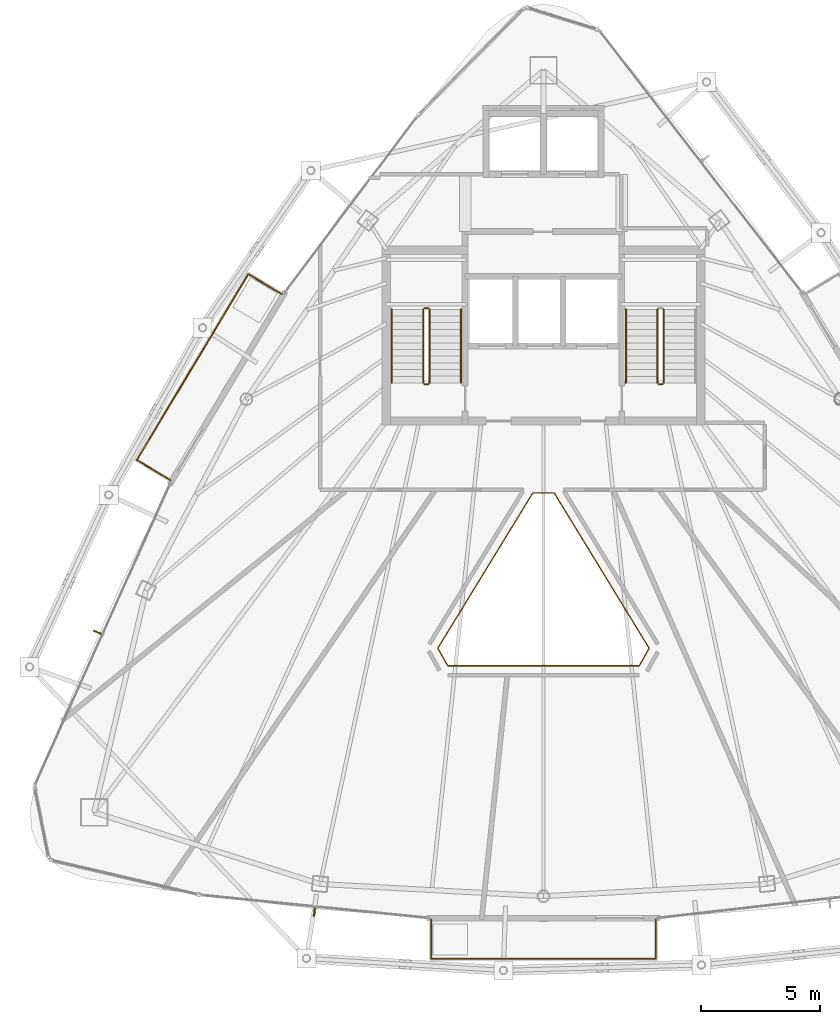
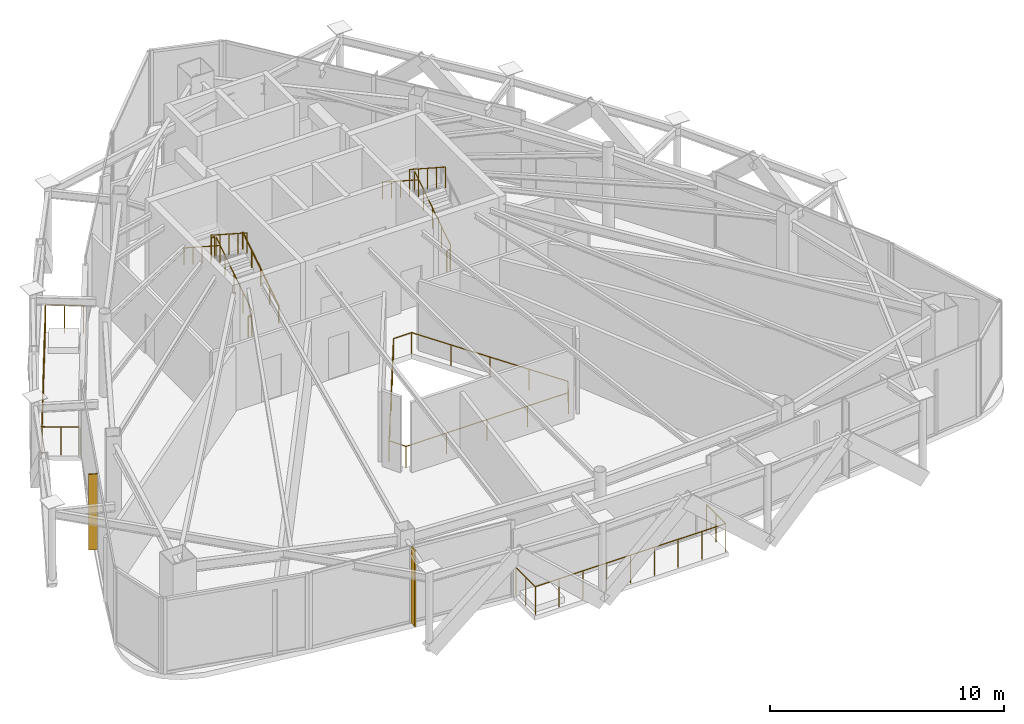
# One storey, part 21 of 22: 13 railings, 2 shading devices.
"""IFC4 building model written with IfcOpenShell, lengths in metres."""

from ifc_helpers import new_model, si_unit, direction, frame, origin, origin_2d, place, context, subcontext, project, spatial, rectangle, circle, extrude, material, layer, layer_set, type_object, element, save


model = new_model("IFC4")

# Units and contexts
model_context = context("Model", 3, precision=1e-05, world=origin(), true_north=direction((0.0, 1.0)))
body_context = subcontext(model_context, "Body", "Model", "MODEL_VIEW")
ifc_project = project(units=[si_unit("LENGTHUNIT", "METRE"), si_unit("AREAUNIT", "SQUARE_METRE"), si_unit("VOLUMEUNIT", "CUBIC_METRE"), si_unit("PLANEANGLEUNIT", "RADIAN"), si_unit("MASSUNIT", "GRAM", prefix="KILO")], contexts=[model_context])

# Site, building, storey
site_placement = place(None, origin())
site = spatial("IfcSite", under=ifc_project, at=site_placement, CompositionType="ELEMENT")
building_placement = place(site_placement, origin())
building = spatial("IfcBuilding", under=site, at=building_placement, Name="Orvanel Arch Residences", CompositionType="ELEMENT")
storey_placement = place(building_placement, frame((0.0, 0.0, 276.64990234375)))
storey = spatial("IfcBuildingStorey", under=building, at=storey_placement, Name="L79", CompositionType="ELEMENT", Elevation=276.64990234375)

# Shading devices
ifc_material_1 = material(Name="Bronze-anodised aluminium AA6063-T6", Category="aluminium")
ifc_layer = layer(ifc_material_1, 0.06005859375)
ifc_layer_set = layer_set([ifc_layer], Name="Bronze-anodised aluminium AA6063-T6")
shading_device_type = type_object("IfcShadingDeviceType", Name="FIN-BRZ-380", PredefinedType="USERDEFINED", material=ifc_layer_set)
for number, where, z_axis, x_axis, name in (
    (1, (14.345947265625, 17.883056640625, 0.0), (0.0, 0.0, 1.0), (-0.912120116172, 0.409923033842, 0.0), "L79 Anodised Bronze Mullion FIN 01"),
    (2, (23.4169921875, 6.18994140625, 0.0), (0.0, 0.0, 1.0), (-0.101056297183, -0.994880708829, 0.0), "L79 Anodised Bronze Mullion FIN 01"),
):
    element("IfcShadingDevice", number, at=place(storey_placement, frame(where, z_axis=z_axis, x_axis=x_axis)), inside=storey, type_object=shading_device_type, Name=name, ObjectType="FIN", PredefinedType="USERDEFINED", context=body_context, shape_type="SweptSolid", body=[
        extrude(rectangle(XDim=0.3798828125, YDim=0.06005859375, at=origin_2d()), origin(), (0.0, 0.0, 1.0), 3.949951171875),
    ])

# Railings
railing_type_1 = type_object("IfcRailingType", Name="RL-ATR-1120", PredefinedType="BALUSTRADE", material=ifc_material_1)
railing_1_placement = place(storey_placement, frame((33.447021484375, 23.7119140625, 0.0)))
element("IfcRailing", 3, at=railing_1_placement, inside=storey, type_object=railing_type_1, Name="L79 Atrium Void Protective Balustrade", PredefinedType="BALUSTRADE", context=body_context, shape_type="SweptSolid", body=[
    extrude(circle(Radius=0.02392578125, at=origin_2d()), frame((-0.00146484375, 0.0, 1.09619140625), z_axis=(-1.0, 0.0, 0.0), x_axis=(0.0, -1.0, 0.0)), (0.0, 0.0, 1.0), 0.89111328125),
    extrude(circle(Radius=0.02392578125, at=origin_2d()), frame((-0.894775390625, -0.001220703125, 1.09619140625), z_axis=(-0.521612229543, -0.853182677972, 0.0), x_axis=(0.853182677972, -0.521612229543, 0.0)), (0.0, 0.0, 1.0), 7.606201171875),
    extrude(circle(Radius=0.02392578125, at=origin_2d()), frame((-4.8623046875, -6.4931640625, 1.09619140625), z_axis=(0.488629954368, -0.872491127573, 0.0), x_axis=(0.872491127573, 0.488629954368, 0.0)), (0.0, 0.0, 1.0), 0.8359375),
    extrude(circle(Radius=0.02392578125, at=origin_2d()), frame((-4.45166015625, -7.223876953125, 1.09619140625), z_axis=(1.0, 0.0, 0.0), x_axis=(0.0, 1.0, 0.0)), (0.0, 0.0, 1.0), 8.00927734375),
    extrude(circle(Radius=0.02392578125, at=origin_2d()), frame((3.559814453125, -7.22265625, 1.09619140625), z_axis=(0.488629954368, 0.872491127573, 0.0), x_axis=(-0.872491127573, 0.488629954368, 0.0)), (0.0, 0.0, 1.0), 0.8359375),
    extrude(circle(Radius=0.02392578125, at=origin_2d()), frame((3.96826171875, -6.49072265625, 1.09619140625), z_axis=(-0.521612229543, 0.853182677972, 0.0), x_axis=(-0.853182677972, -0.521612229543, 0.0)), (0.0, 0.0, 1.0), 7.606201171875),
    extrude(circle(Radius=0.02099609375, at=origin_2d()), origin(), (0.0, 0.0, 1.0), 1.070068359375),
    extrude(circle(Radius=0.02099609375, at=origin_2d()), frame((-0.89404296875, 0.0, 0.0)), (0.0, 0.0, 1.0), 1.070068359375),
    extrude(circle(Radius=0.02099609375, at=origin_2d()), frame((-1.88623046875, -1.623046875, 0.0)), (0.0, 0.0, 1.0), 1.070068359375),
    extrude(circle(Radius=0.02099609375, at=origin_2d()), frame((-2.87841796875, -3.24609375, 0.0)), (0.0, 0.0, 1.0), 1.070068359375),
    extrude(circle(Radius=0.02099609375, at=origin_2d()), frame((-3.870849609375, -4.868896484375, 0.0)), (0.0, 0.0, 1.0), 1.070068359375),
    extrude(circle(Radius=0.02099609375, at=origin_2d()), frame((-4.863037109375, -6.491943359375, 0.0)), (0.0, 0.0, 1.0), 1.070068359375),
    extrude(circle(Radius=0.02099609375, at=origin_2d()), frame((-4.453125, -7.223876953125, 0.0)), (0.0, 0.0, 1.0), 1.070068359375),
    extrude(circle(Radius=0.02099609375, at=origin_2d()), frame((-2.4501953125, -7.223876953125, 0.0)), (0.0, 0.0, 1.0), 1.070068359375),
    extrude(circle(Radius=0.02099609375, at=origin_2d()), frame((-0.447021484375, -7.223876953125, 0.0)), (0.0, 0.0, 1.0), 1.070068359375),
    extrude(circle(Radius=0.02099609375, at=origin_2d()), frame((1.55615234375, -7.223876953125, 0.0)), (0.0, 0.0, 1.0), 1.070068359375),
    extrude(circle(Radius=0.02099609375, at=origin_2d()), frame((3.55908203125, -7.223876953125, 0.0)), (0.0, 0.0, 1.0), 1.070068359375),
    extrude(circle(Radius=0.02099609375, at=origin_2d()), frame((3.968994140625, -6.491943359375, 0.0)), (0.0, 0.0, 1.0), 1.070068359375),
    extrude(circle(Radius=0.02099609375, at=origin_2d()), frame((2.976806640625, -4.868896484375, 0.0)), (0.0, 0.0, 1.0), 1.070068359375),
    extrude(circle(Radius=0.02099609375, at=origin_2d()), frame((1.984375, -3.24609375, 0.0)), (0.0, 0.0, 1.0), 1.070068359375),
    extrude(circle(Radius=0.02099609375, at=origin_2d()), frame((0.9921875, -1.623046875, 0.0)), (0.0, 0.0, 1.0), 1.070068359375),
])
railing_type_2 = type_object("IfcRailingType", Name="RL-BAL-1480", PredefinedType="BALUSTRADE", material=ifc_material_1)
railing_2_placement = place(storey_placement, frame((22.056884765625, 32.030029296875, 0.0)))
element("IfcRailing", 4, at=railing_2_placement, inside=storey, type_object=railing_type_2, Name="L79 Balcony Perimeter Guardrail Face 1", PredefinedType="BALUSTRADE", context=body_context, shape_type="SweptSolid", body=[
    extrude(circle(Radius=0.02392578125, at=origin_2d()), frame((-0.001220703125, 0.000732421875, 1.4560546875), z_axis=(-0.857387817543, 0.514670895164, 0.0), x_axis=(-0.514670895164, -0.857387817543, 0.0)), (0.0, 0.0, 1.0), 1.636962890625),
    extrude(circle(Radius=0.02392578125, at=origin_2d()), frame((-1.40673828125, 0.8427734375, 1.4560546875), z_axis=(-0.514408668721, -0.857545171722, 0.0), x_axis=(0.857545171722, -0.514408668721, 0.0)), (0.0, 0.0, 1.0), 9.067138671875),
    extrude(circle(Radius=0.02392578125, at=origin_2d()), frame((-6.070556640625, -6.934814453125, 1.4560546875), z_axis=(0.857545439568, -0.514408222208, 0.0), x_axis=(0.514408222208, 0.857545439568, 0.0)), (0.0, 0.0, 1.0), 1.6376953125),
    extrude(circle(Radius=0.02099609375, at=origin_2d()), origin(), (0.0, 0.0, 1.0), 1.429931640625),
    extrude(circle(Radius=0.02099609375, at=origin_2d()), frame((-0.703125, 0.421875, 0.0)), (0.0, 0.0, 1.0), 1.429931640625),
    extrude(circle(Radius=0.02099609375, at=origin_2d()), frame((-1.406005859375, 0.843994140625, 0.0)), (0.0, 0.0, 1.0), 1.429931640625),
    extrude(circle(Radius=0.02099609375, at=origin_2d()), frame((-1.9892578125, -0.128173828125, 0.0)), (0.0, 0.0, 1.0), 1.429931640625),
    extrude(circle(Radius=0.02099609375, at=origin_2d()), frame((-2.572509765625, -1.1005859375, 0.0)), (0.0, 0.0, 1.0), 1.429931640625),
    extrude(circle(Radius=0.02099609375, at=origin_2d()), frame((-3.15576171875, -2.07275390625, 0.0)), (0.0, 0.0, 1.0), 1.429931640625),
    extrude(circle(Radius=0.02099609375, at=origin_2d()), frame((-3.73876953125, -3.044921875, 0.0)), (0.0, 0.0, 1.0), 1.429931640625),
    extrude(circle(Radius=0.02099609375, at=origin_2d()), frame((-4.322021484375, -4.017333984375, 0.0)), (0.0, 0.0, 1.0), 1.429931640625),
    extrude(circle(Radius=0.02099609375, at=origin_2d()), frame((-4.9052734375, -4.989501953125, 0.0)), (0.0, 0.0, 1.0), 1.429931640625),
    extrude(circle(Radius=0.02099609375, at=origin_2d()), frame((-5.488525390625, -5.9619140625, 0.0)), (0.0, 0.0, 1.0), 1.429931640625),
    extrude(circle(Radius=0.02099609375, at=origin_2d()), frame((-6.07177734375, -6.93408203125, 0.0)), (0.0, 0.0, 1.0), 1.429931640625),
    extrude(circle(Radius=0.02099609375, at=origin_2d()), frame((-5.3681640625, -7.35595703125, 0.0)), (0.0, 0.0, 1.0), 1.429931640625),
    extrude(circle(Radius=0.02099609375, at=origin_2d()), frame((-4.664794921875, -7.778076171875, 0.0)), (0.0, 0.0, 1.0), 1.429931640625),
])
railing_3_placement = place(storey_placement, frame((28.300048828125, 5.865966796875, 0.0)))
element("IfcRailing", 5, at=railing_3_placement, inside=storey, type_object=railing_type_2, Name="L79 Balcony Perimeter Guardrail Face 2", PredefinedType="BALUSTRADE", context=body_context, shape_type="SweptSolid", body=[
    extrude(circle(Radius=0.02392578125, at=origin_2d()), frame((0.0, -0.00146484375, 1.4560546875), z_axis=(0.0, -1.0, 0.0), x_axis=(1.0, 0.0, 0.0)), (0.0, 0.0, 1.0), 1.636962890625),
    extrude(circle(Radius=0.02392578125, at=origin_2d()), frame((0.00146484375, -1.639892578125, 1.4560546875), z_axis=(1.0, 0.0, 0.0), x_axis=(0.0, 1.0, 0.0)), (0.0, 0.0, 1.0), 9.39697265625),
    extrude(circle(Radius=0.02392578125, at=origin_2d()), frame((9.39990234375, -1.638427734375, 1.4560546875), z_axis=(0.0, 1.0, 0.0), x_axis=(-1.0, 0.0, 0.0)), (0.0, 0.0, 1.0), 1.636962890625),
    extrude(circle(Radius=0.02099609375, at=origin_2d()), origin(), (0.0, 0.0, 1.0), 1.429931640625),
    extrude(circle(Radius=0.02099609375, at=origin_2d()), frame((0.0, -0.81982421875, 0.0)), (0.0, 0.0, 1.0), 1.429931640625),
    extrude(circle(Radius=0.02099609375, at=origin_2d()), frame((0.0, -1.639892578125, 0.0)), (0.0, 0.0, 1.0), 1.429931640625),
    extrude(circle(Radius=0.02099609375, at=origin_2d()), frame((1.175048828125, -1.639892578125, 0.0)), (0.0, 0.0, 1.0), 1.429931640625),
    extrude(circle(Radius=0.02099609375, at=origin_2d()), frame((2.35009765625, -1.639892578125, 0.0)), (0.0, 0.0, 1.0), 1.429931640625),
    extrude(circle(Radius=0.02099609375, at=origin_2d()), frame((3.52490234375, -1.639892578125, 0.0)), (0.0, 0.0, 1.0), 1.429931640625),
    extrude(circle(Radius=0.02099609375, at=origin_2d()), frame((4.699951171875, -1.639892578125, 0.0)), (0.0, 0.0, 1.0), 1.429931640625),
    extrude(circle(Radius=0.02099609375, at=origin_2d()), frame((5.875, -1.639892578125, 0.0)), (0.0, 0.0, 1.0), 1.429931640625),
    extrude(circle(Radius=0.02099609375, at=origin_2d()), frame((7.0498046875, -1.639892578125, 0.0)), (0.0, 0.0, 1.0), 1.429931640625),
    extrude(circle(Radius=0.02099609375, at=origin_2d()), frame((8.224853515625, -1.639892578125, 0.0)), (0.0, 0.0, 1.0), 1.429931640625),
    extrude(circle(Radius=0.02099609375, at=origin_2d()), frame((9.39990234375, -1.639892578125, 0.0)), (0.0, 0.0, 1.0), 1.429931640625),
    extrude(circle(Radius=0.02099609375, at=origin_2d()), frame((9.39990234375, -0.81982421875, 0.0)), (0.0, 0.0, 1.0), 1.429931640625),
    extrude(circle(Radius=0.02099609375, at=origin_2d()), frame((9.39990234375, 0.0, 0.0)), (0.0, 0.0, 1.0), 1.429931640625),
])
ifc_material_2 = material(Name="Structural steel AS/NZS 1163 C350L0 (Grade 350)", Category="steel")
railing_type_3 = type_object("IfcRailingType", Name="RL-STAIR-GUARD", PredefinedType="GUARDRAIL", material=ifc_material_2)
railing_4_placement = place(storey_placement, frame((28.22998046875, 28.320068359375, 0.181396484375)))
element("IfcRailing", 6, at=railing_4_placement, inside=storey, type_object=railing_type_3, Name="L79 ST-1 stair guard 1", PredefinedType="GUARDRAIL", context=body_context, shape_type="SweptSolid", body=[
    extrude(circle(Radius=0.02392578125, at=origin_2d()), frame((0.0, 0.001220703125, 1.076904296875), z_axis=(0.0, 0.839468376875, 0.543408542652), x_axis=(-1.0, 0.0, 0.0)), (0.0, 0.0, 1.0), 3.665771484375),
    extrude(circle(Radius=0.02099609375, at=origin_2d()), origin(), (0.0, 0.0, 1.0), 1.050048828125),
    extrude(circle(Radius=0.02099609375, at=origin_2d()), frame((0.0, 0.77001953125, 0.49853515625)), (0.0, 0.0, 1.0), 1.050048828125),
    extrude(circle(Radius=0.02099609375, at=origin_2d()), frame((0.0, 1.5400390625, 0.996826171875)), (0.0, 0.0, 1.0), 1.050048828125),
    extrude(circle(Radius=0.02099609375, at=origin_2d()), frame((0.0, 2.309814453125, 1.4951171875)), (0.0, 0.0, 1.0), 1.050048828125),
    extrude(circle(Radius=0.02099609375, at=origin_2d()), frame((0.0, 3.079833984375, 1.99365234375)), (0.0, 0.0, 1.0), 1.050048828125),
])
railing_5_placement = place(storey_placement, frame((28.179931640625, 31.449951171875, 2.175048828125)))
element("IfcRailing", 7, at=railing_5_placement, inside=storey, type_object=railing_type_3, Name="L79 ST-1 stair guard 2", PredefinedType="GUARDRAIL", context=body_context, shape_type="SweptSolid", body=[
    extrude(circle(Radius=0.02392578125, at=origin_2d()), frame((-0.00146484375, 0.0, 1.076171875), z_axis=(-1.0, 0.0, 0.0), x_axis=(0.0, -1.0, 0.0)), (0.0, 0.0, 1.0), 0.156982421875),
    extrude(circle(Radius=0.02099609375, at=origin_2d()), origin(), (0.0, 0.0, 1.0), 1.050048828125),
    extrude(circle(Radius=0.02099609375, at=origin_2d()), frame((-0.159912109375, 0.0, 0.0)), (0.0, 0.0, 1.0), 1.050048828125),
])
railing_6_placement = place(storey_placement, frame((27.969970703125, 31.39990234375, 2.3564453125)))
element("IfcRailing", 8, at=railing_6_placement, inside=storey, type_object=railing_type_3, Name="L79 ST-1 stair guard 3", PredefinedType="GUARDRAIL", context=body_context, shape_type="SweptSolid", body=[
    extrude(circle(Radius=0.02392578125, at=origin_2d()), frame((0.0, -0.001220703125, 1.076904296875), z_axis=(0.0, -0.839468376875, 0.543408542652), x_axis=(1.0, 0.0, 0.0)), (0.0, 0.0, 1.0), 3.665771484375),
    extrude(circle(Radius=0.02099609375, at=origin_2d()), origin(), (0.0, 0.0, 1.0), 1.050048828125),
    extrude(circle(Radius=0.02099609375, at=origin_2d()), frame((0.0, -0.77001953125, 0.49853515625)), (0.0, 0.0, 1.0), 1.050048828125),
    extrude(circle(Radius=0.02099609375, at=origin_2d()), frame((0.0, -1.5400390625, 0.996826171875)), (0.0, 0.0, 1.0), 1.050048828125),
    extrude(circle(Radius=0.02099609375, at=origin_2d()), frame((0.0, -2.309814453125, 1.4951171875)), (0.0, 0.0, 1.0), 1.050048828125),
    extrude(circle(Radius=0.02099609375, at=origin_2d()), frame((0.0, -3.079833984375, 1.99365234375)), (0.0, 0.0, 1.0), 1.050048828125),
])
railing_7_placement = place(storey_placement, frame((28.179931640625, 28.27001953125, 0.0)))
element("IfcRailing", 9, at=railing_7_placement, inside=storey, type_object=railing_type_3, Name="L79 ST-1 stair guard 4", PredefinedType="GUARDRAIL", context=body_context, shape_type="SweptSolid", body=[
    extrude(circle(Radius=0.02392578125, at=origin_2d()), frame((-0.00146484375, 0.0, 1.076171875), z_axis=(-1.0, 0.0, 0.0), x_axis=(0.0, -1.0, 0.0)), (0.0, 0.0, 1.0), 0.156982421875),
    extrude(circle(Radius=0.02099609375, at=origin_2d()), origin(), (0.0, 0.0, 1.0), 1.050048828125),
    extrude(circle(Radius=0.02099609375, at=origin_2d()), frame((-0.159912109375, 0.0, 0.0)), (0.0, 0.0, 1.0), 1.050048828125),
])
railing_8_placement = place(storey_placement, frame((38.030029296875, 28.320068359375, 0.181396484375)))
element("IfcRailing", 10, at=railing_8_placement, inside=storey, type_object=railing_type_3, Name="L79 ST-2 stair guard 1", PredefinedType="GUARDRAIL", context=body_context, shape_type="SweptSolid", body=[
    extrude(circle(Radius=0.02392578125, at=origin_2d()), frame((0.0, 0.001220703125, 1.076904296875), z_axis=(0.0, 0.839468376875, 0.543408542652), x_axis=(-1.0, 0.0, 0.0)), (0.0, 0.0, 1.0), 3.665771484375),
    extrude(circle(Radius=0.02099609375, at=origin_2d()), origin(), (0.0, 0.0, 1.0), 1.050048828125),
    extrude(circle(Radius=0.02099609375, at=origin_2d()), frame((0.0, 0.77001953125, 0.49853515625)), (0.0, 0.0, 1.0), 1.050048828125),
    extrude(circle(Radius=0.02099609375, at=origin_2d()), frame((0.0, 1.5400390625, 0.996826171875)), (0.0, 0.0, 1.0), 1.050048828125),
    extrude(circle(Radius=0.02099609375, at=origin_2d()), frame((0.0, 2.309814453125, 1.4951171875)), (0.0, 0.0, 1.0), 1.050048828125),
    extrude(circle(Radius=0.02099609375, at=origin_2d()), frame((0.0, 3.079833984375, 1.99365234375)), (0.0, 0.0, 1.0), 1.050048828125),
])
railing_9_placement = place(storey_placement, frame((37.77001953125, 31.39990234375, 2.3564453125)))
element("IfcRailing", 11, at=railing_9_placement, inside=storey, type_object=railing_type_3, Name="L79 ST-2 stair guard 3", PredefinedType="GUARDRAIL", context=body_context, shape_type="SweptSolid", body=[
    extrude(circle(Radius=0.02392578125, at=origin_2d()), frame((0.0, -0.001220703125, 1.076904296875), z_axis=(0.0, -0.839468376875, 0.543408542652), x_axis=(1.0, 0.0, 0.0)), (0.0, 0.0, 1.0), 3.665771484375),
    extrude(circle(Radius=0.02099609375, at=origin_2d()), origin(), (0.0, 0.0, 1.0), 1.050048828125),
    extrude(circle(Radius=0.02099609375, at=origin_2d()), frame((0.0, -0.77001953125, 0.49853515625)), (0.0, 0.0, 1.0), 1.050048828125),
    extrude(circle(Radius=0.02099609375, at=origin_2d()), frame((0.0, -1.5400390625, 0.996826171875)), (0.0, 0.0, 1.0), 1.050048828125),
    extrude(circle(Radius=0.02099609375, at=origin_2d()), frame((0.0, -2.309814453125, 1.4951171875)), (0.0, 0.0, 1.0), 1.050048828125),
    extrude(circle(Radius=0.02099609375, at=origin_2d()), frame((0.0, -3.079833984375, 1.99365234375)), (0.0, 0.0, 1.0), 1.050048828125),
])
railing_10_placement = place(storey_placement, frame((37.97998046875, 28.27001953125, 0.0)))
element("IfcRailing", 12, at=railing_10_placement, inside=storey, type_object=railing_type_3, Name="L79 ST-2 stair guard 4", PredefinedType="GUARDRAIL", context=body_context, shape_type="SweptSolid", body=[
    extrude(circle(Radius=0.02392578125, at=origin_2d()), frame((-0.00146484375, 0.0, 1.076171875), z_axis=(-1.0, 0.0, 0.0), x_axis=(0.0, -1.0, 0.0)), (0.0, 0.0, 1.0), 0.156982421875),
    extrude(circle(Radius=0.02099609375, at=origin_2d()), origin(), (0.0, 0.0, 1.0), 1.050048828125),
    extrude(circle(Radius=0.02099609375, at=origin_2d()), frame((-0.159912109375, 0.0, 0.0)), (0.0, 0.0, 1.0), 1.050048828125),
])
railing_type_4 = type_object("IfcRailingType", Name="RL-STAIR-HAND", PredefinedType="HANDRAIL", material=ifc_material_2)
railing_11_placement = place(storey_placement, frame((29.550048828125, 28.320068359375, 0.181396484375)))
element("IfcRailing", 13, at=railing_11_placement, inside=storey, type_object=railing_type_4, Name="L79 ST-1 stair handrail 1", PredefinedType="HANDRAIL", context=body_context, shape_type="SweptSolid", body=[
    extrude(circle(Radius=0.02392578125, at=origin_2d()), frame((0.0, 0.001220703125, 0.876708984375), z_axis=(0.0, 0.839468376875, 0.543408542652), x_axis=(-1.0, 0.0, 0.0)), (0.0, 0.0, 1.0), 3.665771484375),
    extrude(circle(Radius=0.02099609375, at=origin_2d()), origin(), (0.0, 0.0, 1.0), 0.849853515625),
    extrude(circle(Radius=0.02099609375, at=origin_2d()), frame((0.0, 0.77001953125, 0.49853515625)), (0.0, 0.0, 1.0), 0.849853515625),
    extrude(circle(Radius=0.02099609375, at=origin_2d()), frame((0.0, 1.5400390625, 0.996826171875)), (0.0, 0.0, 1.0), 0.849853515625),
    extrude(circle(Radius=0.02099609375, at=origin_2d()), frame((0.0, 2.309814453125, 1.4951171875)), (0.0, 0.0, 1.0), 0.849853515625),
    extrude(circle(Radius=0.02099609375, at=origin_2d()), frame((0.0, 3.079833984375, 1.99365234375)), (0.0, 0.0, 1.0), 0.849853515625),
])
for number, where, name in (
    (14, (26.64990234375, 31.39990234375, 2.3564453125), "L79 ST-1 stair handrail 2"),
    (15, (36.449951171875, 31.39990234375, 2.3564453125), "L79 ST-2 stair handrail 2"),
):
    element("IfcRailing", number, at=place(storey_placement, frame(where)), inside=storey, type_object=railing_type_4, Name=name, PredefinedType="HANDRAIL", context=body_context, shape_type="SweptSolid", body=[
        extrude(circle(Radius=0.02392578125, at=origin_2d()), frame((0.0, -0.001220703125, 0.876708984375), z_axis=(0.0, -0.839468376875, 0.543408542652), x_axis=(1.0, 0.0, 0.0)), (0.0, 0.0, 1.0), 3.665771484375),
        extrude(circle(Radius=0.02099609375, at=origin_2d()), origin(), (0.0, 0.0, 1.0), 0.849853515625),
        extrude(circle(Radius=0.02099609375, at=origin_2d()), frame((0.0, -0.77001953125, 0.49853515625)), (0.0, 0.0, 1.0), 0.849853515625),
        extrude(circle(Radius=0.02099609375, at=origin_2d()), frame((0.0, -1.5400390625, 0.996826171875)), (0.0, 0.0, 1.0), 0.849853515625),
        extrude(circle(Radius=0.02099609375, at=origin_2d()), frame((0.0, -2.309814453125, 1.4951171875)), (0.0, 0.0, 1.0), 0.849853515625),
        extrude(circle(Radius=0.02099609375, at=origin_2d()), frame((0.0, -3.079833984375, 1.99365234375)), (0.0, 0.0, 1.0), 0.849853515625),
    ])

save(model, "model.ifc")
